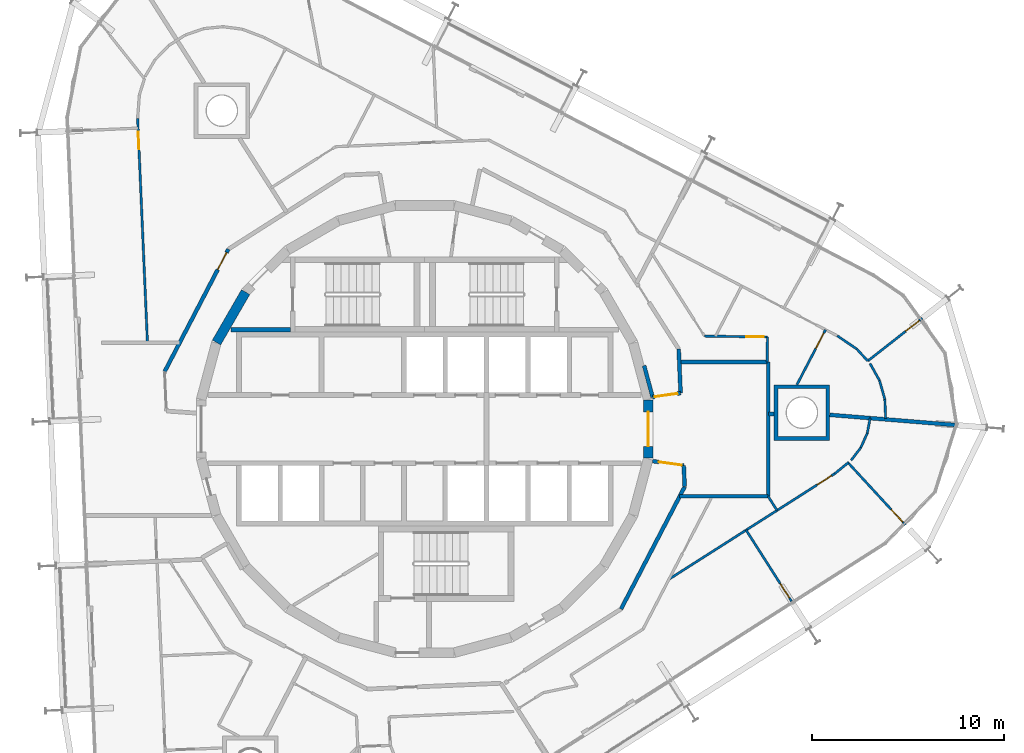
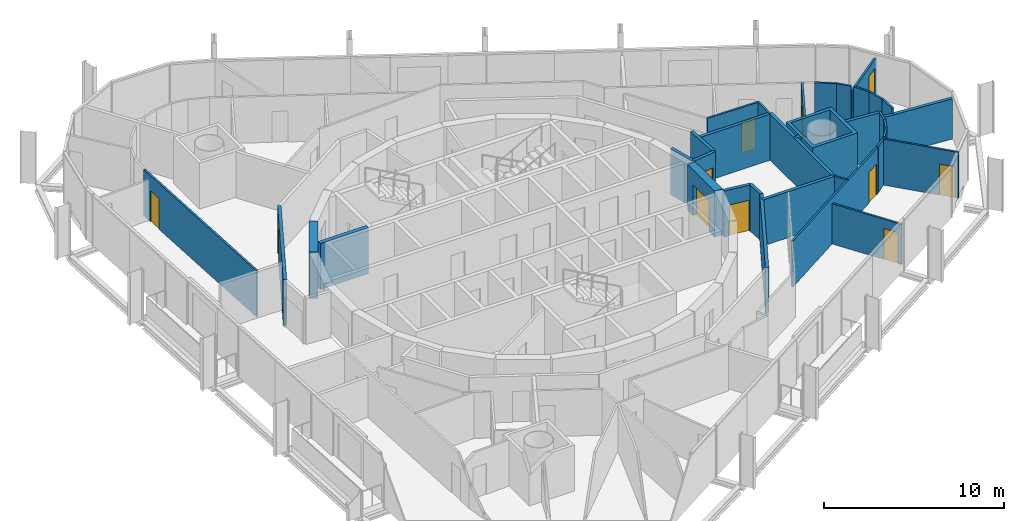
# One storey, part 14 of 17: 35 walls, 11 doors, 11 openings.
"""IFC4 building model written with IfcOpenShell, lengths in metres."""

from ifc_helpers import new_model, si_unit, direction, frame, frame_2d, origin, place, context, subcontext, project, spatial, polyline, rectangle, outline, extrude, material, layer, layer_set, type_object, element, fill, save


model = new_model("IFC4")

# Units and contexts
model_context = context("Model", 3, precision=1e-05, world=origin(), true_north=direction((0.0, 1.0)))
body_context = subcontext(model_context, "Body", "Model", "MODEL_VIEW")
ifc_project = project(units=[si_unit("LENGTHUNIT", "METRE"), si_unit("AREAUNIT", "SQUARE_METRE"), si_unit("VOLUMEUNIT", "CUBIC_METRE"), si_unit("PLANEANGLEUNIT", "RADIAN"), si_unit("MASSUNIT", "GRAM", prefix="KILO")], contexts=[model_context])

# Site, building, storey
site_placement = place(None, origin())
site = spatial("IfcSite", under=ifc_project, at=site_placement, CompositionType="ELEMENT")
building_placement = place(site_placement, origin())
building = spatial("IfcBuilding", under=site, at=building_placement, Name="Spindle Arch Residences", CompositionType="ELEMENT")
storey_placement = place(building_placement, frame((0.0, 0.0, 244.199951171875)))
storey = spatial("IfcBuildingStorey", under=building, at=storey_placement, Name="L62", CompositionType="ELEMENT", Elevation=244.199951171875)

# Wall, opening, door
ifc_material_1 = material(Name="Concrete C50/60", Category="concrete")
ifc_layer_1 = layer(ifc_material_1, 0.5)
ifc_layer_set_1 = layer_set([ifc_layer_1], Name="Core outline wall 500")
wall_type_1 = type_object("IfcWallType", Name="Core outline wall 500", PredefinedType="SHEAR", material=ifc_layer_set_1)
wall_1_placement = place(storey_placement, frame((11.647216796875, -1.516357421875, 0.0), z_axis=(0.0, 0.0, 1.0), x_axis=(0.0, 1.0, 0.0)))
wall_1 = element("IfcWall", 1, at=wall_1_placement, inside=storey, type_object=wall_type_1, Name="Core outline wall 6", PredefinedType="SHEAR", context=body_context, shape_type="SweptSolid", body=[
    extrude(rectangle(XDim=3.03271484375, YDim=0.5, at=frame_2d((1.516357421875, 0.0))), origin(), (0.0, 0.0, 1.0), 3.1201171875),
])
opening_1_placement = place(wall_1_placement, frame((0.6162109375, 0.0, 0.0)))
opening_1 = element("IfcOpeningElement", 2, at=opening_1_placement, cuts=wall_1, Name="Opening R6B1-FE01", PredefinedType="OPENING", context=body_context, shape_type="SweptSolid", body=[
    extrude(rectangle(XDim=1.800048828125, YDim=2.10009765625, at=frame_2d((0.89990234375, 1.050048828125))), frame((0.0, 0.260009765625, 0.0), z_axis=(0.0, -1.0, 0.0), x_axis=(1.0, 0.0, 0.0)), (0.0, 0.0, 1.0), 0.52001953125),
])
ifc_material_2 = material(Name="Steel, fire-resisting door", Category="steel")
door_type_1 = type_object("IfcDoorType", Name="Fire-lift lobby door 1800x2100", OperationType="DOUBLE_DOOR_SINGLE_SWING", PredefinedType="DOOR", material=ifc_material_2)
door_1_placement = place(opening_1_placement, origin())
door_1 = element("IfcDoor", 3, at=door_1_placement, inside=storey, type_object=door_type_1, Name="Fire-lift lobby door R6B1-FE01", OperationType="DOUBLE_DOOR_SINGLE_SWING", OverallHeight=2.10009765625, OverallWidth=1.800048828125, PredefinedType="DOOR", context=body_context, shape_type="SweptSolid", body=[
    extrude(rectangle(XDim=1.800048828125, YDim=2.10009765625, at=frame_2d((0.89990234375, 1.050048828125))), frame((0.0, 0.02490234375, 0.0), z_axis=(0.0, -1.0, 0.0), x_axis=(1.0, 0.0, 0.0)), (0.0, 0.0, 1.0), 0.050048828125),
])
fill(opening_1, door_1)

# Walls
wall_2_placement = place(storey_placement, frame((-9.32861328125, 7.13671875, 0.0), z_axis=(0.0, 0.0, 1.0), x_axis=(-0.500087131594, -0.865975092491, 0.0)))
element("IfcWall", 4, at=wall_2_placement, inside=storey, type_object=wall_type_1, Name="Core outline wall 16", PredefinedType="SHEAR", context=body_context, shape_type="SweptSolid", body=[
    extrude(rectangle(XDim=3.03271484375, YDim=0.5, at=frame_2d((1.516357421875, 0.0))), origin(), (0.0, 0.0, 1.0), 3.1201171875),
])
ifc_material_3 = material(Name="Calcium silicate block, plastered")
ifc_layer_2 = layer(ifc_material_3, 0.199951171875)
ifc_layer_set_2 = layer_set([ifc_layer_2], Name="Fire-lift lobby bay wall 200")
wall_type_2 = type_object("IfcWallType", Name="Fire-lift lobby bay wall 200", PredefinedType="STANDARD", material=ifc_layer_set_2)
wall_3_placement = place(storey_placement, frame((11.8701171875, 1.668212890625, 0.0), z_axis=(0.0, 0.0, 1.0), x_axis=(-0.258836880648, 0.965921047093, 0.0)))
element("IfcWall", 5, at=wall_3_placement, inside=storey, type_object=wall_type_2, Name="Fire-lift lobby bay wall R6B1-W001", PredefinedType="STANDARD", context=body_context, shape_type="SweptSolid", body=[
    extrude(rectangle(XDim=1.695068359375, YDim=0.199951171875, at=frame_2d((0.84765625, 0.0))), origin(), (0.0, 0.0, 1.0), 3.1201171875),
])

# Wall, opening, door
wall_4_placement = place(storey_placement, frame((11.8701171875, 1.668212890625, 0.0), z_axis=(0.0, 0.0, 1.0), x_axis=(0.990267985606, 0.139173692496, 0.0)))
wall_4 = element("IfcWall", 6, at=wall_4_placement, inside=storey, type_object=wall_type_2, Name="Fire-lift lobby bay wall R6B1-W002", PredefinedType="STANDARD", context=body_context, shape_type="SweptSolid", body=[
    extrude(rectangle(XDim=1.475341796875, YDim=0.199951171875, at=frame_2d((0.73779296875, 0.0))), origin(), (0.0, 0.0, 1.0), 3.1201171875),
])
opening_2_placement = place(wall_4_placement, frame((0.110107421875, 0.0, 0.0)))
opening_2 = element("IfcOpeningElement", 7, at=opening_2_placement, cuts=wall_4, Name="Opening R6B1-CD01", PredefinedType="OPENING", context=body_context, shape_type="SweptSolid", body=[
    extrude(rectangle(XDim=1.199951171875, YDim=2.10009765625, at=frame_2d((0.60009765625, 1.050048828125))), frame((0.0, 0.10986328125, 0.0), z_axis=(0.0, -1.0, 0.0), x_axis=(1.0, 0.0, 0.0)), (0.0, 0.0, 1.0), 0.219970703125),
])
ifc_material_4 = material(Name="Steel, fire-resisting door", Category="steel")
door_type_2 = type_object("IfcDoorType", Name="Corridor division door 1200x2100", OperationType="NOTDEFINED", PredefinedType="DOOR", material=ifc_material_4)
door_2_placement = place(opening_2_placement, origin())
door_2 = element("IfcDoor", 8, at=door_2_placement, inside=storey, type_object=door_type_2, Name="Corridor division door R6B1-CD01", OperationType="DOUBLE_DOOR_SINGLE_SWING", OverallHeight=2.10009765625, OverallWidth=1.199951171875, PredefinedType="DOOR", context=body_context, shape_type="SweptSolid", body=[
    extrude(rectangle(XDim=1.199951171875, YDim=2.10009765625, at=frame_2d((0.60009765625, 1.050048828125))), frame((0.0, 0.02490234375, 0.0), z_axis=(0.0, -1.0, 0.0), x_axis=(1.0, 0.0, 0.0)), (0.0, 0.0, 1.0), 0.050048828125),
])
fill(opening_2, door_2)

# Walls
wall_5_placement = place(storey_placement, frame((13.3310546875, 1.87353515625, 0.0), z_axis=(0.0, 0.0, 1.0), x_axis=(-0.043621457762, 0.999048131184, 0.0)))
element("IfcWall", 9, at=wall_5_placement, inside=storey, type_object=wall_type_2, Name="Fire-lift lobby bay wall R6B1-W003", PredefinedType="STANDARD", context=body_context, shape_type="SweptSolid", body=[
    extrude(rectangle(XDim=2.30029296875, YDim=0.199951171875, at=frame_2d((1.150146484375, 0.0))), origin(), (0.0, 0.0, 1.0), 3.1201171875),
])
wall_6_placement = place(storey_placement, frame((10.22802734375, -9.372314453125, 0.0), z_axis=(0.0, 0.0, 1.0), x_axis=(0.461759464021, 0.887005184532, 0.0)))
element("IfcWall", 10, at=wall_6_placement, inside=storey, type_object=wall_type_2, Name="Fire-lift lobby bay wall R6B1-W013", PredefinedType="STANDARD", context=body_context, shape_type="SweptSolid", body=[
    extrude(rectangle(XDim=7.18115234375, YDim=0.199951171875, at=frame_2d((3.590576171875, 0.0))), origin(), (0.0, 0.0, 1.0), 3.1201171875),
])
wall_7_placement = place(storey_placement, frame((13.5439453125, -3.002685546875, 0.0), z_axis=(0.0, 0.0, 1.0), x_axis=(-0.043666917606, 0.999046145234, 0.0)))
element("IfcWall", 11, at=wall_7_placement, inside=storey, type_object=wall_type_2, Name="Fire-lift lobby bay wall R6B1-W014", PredefinedType="STANDARD", context=body_context, shape_type="SweptSolid", body=[
    extrude(rectangle(XDim=1.10693359375, YDim=0.199951171875, at=frame_2d((0.553466796875, 0.0))), origin(), (0.0, 0.0, 1.0), 3.1201171875),
])

# Wall, opening, door
wall_8_placement = place(storey_placement, frame((13.49560546875, -1.896728515625, 0.0), z_axis=(0.0, 0.0, 1.0), x_axis=(-0.99026234641, 0.139213811391, 0.0)))
wall_8 = element("IfcWall", 12, at=wall_8_placement, inside=storey, type_object=wall_type_2, Name="Fire-lift lobby bay wall R6B1-W015", PredefinedType="STANDARD", context=body_context, shape_type="SweptSolid", body=[
    extrude(rectangle(XDim=1.641357421875, YDim=0.199951171875, at=frame_2d((0.82080078125, 0.0))), origin(), (0.0, 0.0, 1.0), 3.1201171875),
])
opening_3_placement = place(wall_8_placement, frame((0.110107421875, 0.0, 0.0)))
opening_3 = element("IfcOpeningElement", 13, at=opening_3_placement, cuts=wall_8, Name="Opening R6B1-CD02", PredefinedType="OPENING", context=body_context, shape_type="SweptSolid", body=[
    extrude(rectangle(XDim=1.199951171875, YDim=2.10009765625, at=frame_2d((0.60009765625, 1.050048828125))), frame((0.0, 0.10986328125, 0.0), z_axis=(0.0, -1.0, 0.0), x_axis=(1.0, 0.0, 0.0)), (0.0, 0.0, 1.0), 0.219970703125),
])
door_3_placement = place(opening_3_placement, origin())
door_3 = element("IfcDoor", 14, at=door_3_placement, inside=storey, type_object=door_type_2, Name="Corridor division door R6B1-CD02", OperationType="DOUBLE_DOOR_SINGLE_SWING", OverallHeight=2.10009765625, OverallWidth=1.199951171875, PredefinedType="DOOR", context=body_context, shape_type="SweptSolid", body=[
    extrude(rectangle(XDim=1.199951171875, YDim=2.10009765625, at=frame_2d((0.60009765625, 1.050048828125))), frame((0.0, 0.02490234375, 0.0), z_axis=(0.0, -1.0, 0.0), x_axis=(1.0, 0.0, 0.0)), (0.0, 0.0, 1.0), 0.050048828125),
])
fill(opening_3, door_3)

# Walls
wall_9_placement = place(storey_placement, frame((17.83740234375, 3.5, 0.0), z_axis=(0.0, 0.0, 1.0), x_axis=(-1.0, 0.0, 0.0)))
element("IfcWall", 15, at=wall_9_placement, inside=storey, type_object=wall_type_2, Name="Fire-lift lobby bay wall R6B1-W024", PredefinedType="STANDARD", context=body_context, shape_type="SweptSolid", body=[
    extrude(rectangle(XDim=4.577392578125, YDim=0.199951171875, at=frame_2d((2.28857421875, 0.0))), origin(), (0.0, 0.0, 1.0), 3.1201171875),
])
wall_10_placement = place(storey_placement, frame((17.89990234375, -3.5, 0.0), z_axis=(0.0, 0.0, 1.0), x_axis=(0.0, 1.0, 0.0)))
element("IfcWall", 16, at=wall_10_placement, inside=storey, type_object=wall_type_2, Name="Fire-lift lobby bay wall R6B1-W025", PredefinedType="STANDARD", context=body_context, shape_type="SweptSolid", body=[
    extrude(rectangle(XDim=7.0, YDim=0.199951171875, at=frame_2d((3.5, 0.0))), origin(), (0.0, 0.0, 1.0), 3.1201171875),
])
wall_11_placement = place(storey_placement, frame((13.284912109375, -3.5, 0.0), z_axis=(0.0, 0.0, 1.0), x_axis=(1.0, 0.0, 0.0)))
element("IfcWall", 17, at=wall_11_placement, inside=storey, type_object=wall_type_2, Name="Fire-lift lobby bay wall R6B1-W026", PredefinedType="STANDARD", context=body_context, shape_type="SweptSolid", body=[
    extrude(rectangle(XDim=4.60107421875, YDim=0.199951171875, at=frame_2d((2.300537109375, 0.0))), origin(), (0.0, 0.0, 1.0), 3.1201171875),
])
ifc_material_5 = material(Name="Plasterboard on steel studs", Category="steel")
ifc_layer_3 = layer(ifc_material_5, 0.1201171875)
ifc_layer_set_3 = layer_set([ifc_layer_3], Name="Flat partition 120")
wall_type_3 = type_object("IfcWallType", Name="Flat partition 120", PredefinedType="PARTITIONING", material=ifc_layer_set_3)
wall_12_placement = place(storey_placement, frame((17.83740234375, 3.5, 0.0), z_axis=(0.0, 0.0, 1.0), x_axis=(0.014687681009, 0.999892130195, 0.0)))
element("IfcWall", 18, at=wall_12_placement, inside=storey, type_object=wall_type_3, Name="Flat partition R6B1-W037", PredefinedType="PARTITIONING", context=body_context, shape_type="SweptSolid", body=[
    extrude(rectangle(XDim=1.296630859375, YDim=0.1201171875, at=frame_2d((0.6484375, 0.0))), origin(), (0.0, 0.0, 1.0), 3.1201171875),
])

# Wall, opening, door
wall_13_placement = place(storey_placement, frame((17.8564453125, 4.79638671875, 0.0), z_axis=(0.0, 0.0, 1.0), x_axis=(-0.999890074231, 0.014826983962, 0.0)))
wall_13 = element("IfcWall", 19, at=wall_13_placement, inside=storey, type_object=wall_type_3, Name="Flat partition R6B1-W038", PredefinedType="PARTITIONING", context=body_context, shape_type="SweptSolid", body=[
    extrude(rectangle(XDim=3.276611328125, YDim=0.1201171875, at=frame_2d((1.63818359375, 0.0))), origin(), (0.0, 0.0, 1.0), 3.1201171875),
])
opening_4_placement = place(wall_13_placement, frame((0.199951171875, 0.0, 0.0)))
opening_4 = element("IfcOpeningElement", 20, at=opening_4_placement, cuts=wall_13, Name="Opening R6B1-ID01", PredefinedType="OPENING", context=body_context, shape_type="SweptSolid", body=[
    extrude(rectangle(XDim=0.89990234375, YDim=2.10009765625, at=frame_2d((0.449951171875, 1.050048828125))), frame((0.0, 0.070068359375, 0.0), z_axis=(0.0, -1.0, 0.0), x_axis=(1.0, 0.0, 0.0)), (0.0, 0.0, 1.0), 0.14013671875),
])
ifc_material_6 = material(Name="Timber door set", Category="wood")
door_type_3 = type_object("IfcDoorType", Name="Room door 900x2100", OperationType="NOTDEFINED", PredefinedType="DOOR", material=ifc_material_6)
door_4_placement = place(opening_4_placement, origin())
door_4 = element("IfcDoor", 21, at=door_4_placement, inside=storey, type_object=door_type_3, Name="Room door R6B1-ID01", OperationType="SINGLE_SWING_LEFT", OverallHeight=2.10009765625, OverallWidth=0.89990234375, PredefinedType="DOOR", context=body_context, shape_type="SweptSolid", body=[
    extrude(rectangle(XDim=0.89990234375, YDim=2.10009765625, at=frame_2d((0.449951171875, 1.050048828125))), frame((0.0, 0.02490234375, 0.0), z_axis=(0.0, -1.0, 0.0), x_axis=(1.0, 0.0, 0.0)), (0.0, 0.0, 1.0), 0.050048828125),
])
fill(opening_4, door_4)

# Walls
for number, where, z_axis, x_axis, name in (
    (22, (23.197265625, 3.419677734375, 0.0), (0.0, 0.0, 1.0), (0.487315027955, -0.873226238456, 0.0), "Flat partition R6B1-W040"),
    (23, (23.6923828125, 2.532470703125, 0.0), (0.0, 0.0, 1.0), (0.272721198141, -0.962093107804, 0.0), "Flat partition R6B1-W041"),
):
    element("IfcWall", number, at=place(storey_placement, frame(where, z_axis=z_axis, x_axis=x_axis)), inside=storey, type_object=wall_type_3, Name=name, PredefinedType="PARTITIONING", context=body_context, shape_type="SweptSolid", body=[
        extrude(rectangle(XDim=1.01611328125, YDim=0.1201171875, at=frame_2d((0.508056640625, 0.0))), origin(), (0.0, 0.0, 1.0), 3.1201171875),
    ])
wall_14_placement = place(storey_placement, frame((23.969482421875, 1.554931640625, 0.0), z_axis=(0.0, 0.0, 1.0), x_axis=(0.043739672645, -0.999042962558, 0.0)))
element("IfcWall", 24, at=wall_14_placement, inside=storey, type_object=wall_type_3, Name="Flat partition R6B1-W042", PredefinedType="PARTITIONING", context=body_context, shape_type="SweptSolid", body=[
    extrude(rectangle(XDim=1.015869140625, YDim=0.1201171875, at=frame_2d((0.5078125, 0.0))), origin(), (0.0, 0.0, 1.0), 3.1201171875),
])

# Wall, opening, door
wall_15_placement = place(storey_placement, frame((20.88232421875, 5.177001953125, 0.0), z_axis=(0.0, 0.0, 1.0), x_axis=(-0.461706806129, -0.887032595328, 0.0)))
wall_15 = element("IfcWall", 25, at=wall_15_placement, inside=storey, type_object=wall_type_3, Name="Flat partition R6B1-W044", PredefinedType="PARTITIONING", context=body_context, shape_type="SweptSolid", body=[
    extrude(rectangle(XDim=3.234619140625, YDim=0.1201171875, at=frame_2d((1.6171875, 0.0))), origin(), (0.0, 0.0, 1.0), 3.1201171875),
])
opening_5_placement = place(wall_15_placement, frame((0.199951171875, 0.0, 0.0)))
opening_5 = element("IfcOpeningElement", 26, at=opening_5_placement, cuts=wall_15, Name="Opening R6B1-ID02", PredefinedType="OPENING", context=body_context, shape_type="SweptSolid", body=[
    extrude(rectangle(XDim=0.89990234375, YDim=2.10009765625, at=frame_2d((0.449951171875, 1.050048828125))), frame((0.0, 0.070068359375, 0.0), z_axis=(0.0, -1.0, 0.0), x_axis=(1.0, 0.0, 0.0)), (0.0, 0.0, 1.0), 0.14013671875),
])
door_5_placement = place(opening_5_placement, origin())
door_5 = element("IfcDoor", 27, at=door_5_placement, inside=storey, type_object=door_type_3, Name="Room door R6B1-ID02", OperationType="SINGLE_SWING_LEFT", OverallHeight=2.10009765625, OverallWidth=0.89990234375, PredefinedType="DOOR", context=body_context, shape_type="SweptSolid", body=[
    extrude(rectangle(XDim=0.89990234375, YDim=2.10009765625, at=frame_2d((0.449951171875, 1.050048828125))), frame((0.0, 0.02490234375, 0.0), z_axis=(0.0, -1.0, 0.0), x_axis=(1.0, 0.0, 0.0)), (0.0, 0.0, 1.0), 0.050048828125),
])
fill(opening_5, door_5)

# Walls
wall_16_placement = place(storey_placement, frame((23.080078125, 3.54736328125, 0.0), z_axis=(0.0, 0.0, 1.0), x_axis=(-0.67556712677, 0.737298485844, 0.0)))
element("IfcWall", 28, at=wall_16_placement, inside=storey, type_object=wall_type_3, Name="Flat partition R6B1-W045", PredefinedType="PARTITIONING", context=body_context, shape_type="SweptSolid", body=[
    extrude(rectangle(XDim=0.84228515625, YDim=0.1201171875, at=frame_2d((0.421142578125, 0.0))), origin(), (0.0, 0.0, 1.0), 3.1201171875),
])
wall_17_placement = place(storey_placement, frame((22.510986328125, 4.16845703125, 0.0), z_axis=(0.0, 0.0, 1.0), x_axis=(-0.82733707504, 0.561705763068, 0.0)))
element("IfcWall", 29, at=wall_17_placement, inside=storey, type_object=wall_type_3, Name="Flat partition R6B1-W046", PredefinedType="PARTITIONING", context=body_context, shape_type="SweptSolid", body=[
    extrude(rectangle(XDim=1.22705078125, YDim=0.1201171875, at=frame_2d((0.613525390625, 0.0))), origin(), (0.0, 0.0, 1.0), 3.1201171875),
])

# Wall, opening, door
wall_18_placement = place(storey_placement, frame((-14.95458984375, 16.18701171875, 0.0), z_axis=(0.0, 0.0, 1.0), x_axis=(0.04360777668, -0.999048728448, 0.0)))
wall_18 = element("IfcWall", 30, at=wall_18_placement, inside=storey, type_object=wall_type_3, Name="Flat partition R6B1-W068", PredefinedType="PARTITIONING", context=body_context, shape_type="SweptSolid", body=[
    extrude(rectangle(XDim=11.6787109375, YDim=0.1201171875, at=frame_2d((5.83935546875, 0.0))), origin(), (0.0, 0.0, 1.0), 3.1201171875),
])
opening_6_placement = place(wall_18_placement, frame((0.708740234375, 0.0, 0.0)))
opening_6 = element("IfcOpeningElement", 31, at=opening_6_placement, cuts=wall_18, Name="Opening R6B1-ID11", PredefinedType="OPENING", context=body_context, shape_type="SweptSolid", body=[
    extrude(rectangle(XDim=0.89990234375, YDim=2.10009765625, at=frame_2d((0.449951171875, 1.050048828125))), frame((0.0, 0.070068359375, 0.0), z_axis=(0.0, -1.0, 0.0), x_axis=(1.0, 0.0, 0.0)), (0.0, 0.0, 1.0), 0.14013671875),
])
door_6_placement = place(opening_6_placement, origin())
door_6 = element("IfcDoor", 32, at=door_6_placement, inside=storey, type_object=door_type_3, Name="Room door R6B1-ID11", OperationType="SINGLE_SWING_LEFT", OverallHeight=2.10009765625, OverallWidth=0.89990234375, PredefinedType="DOOR", context=body_context, shape_type="SweptSolid", body=[
    extrude(rectangle(XDim=0.89990234375, YDim=2.10009765625, at=frame_2d((0.449951171875, 1.050048828125))), frame((0.0, 0.02490234375, 0.0), z_axis=(0.0, -1.0, 0.0), x_axis=(1.0, 0.0, 0.0)), (0.0, 0.0, 1.0), 0.050048828125),
])
fill(opening_6, door_6)

wall_19_placement = place(storey_placement, frame((21.3681640625, -2.31591796875, 0.0), z_axis=(0.0, 0.0, 1.0), x_axis=(-0.843388627156, -0.537304032726, 0.0)))
wall_19 = element("IfcWall", 33, at=wall_19_placement, inside=storey, type_object=wall_type_3, Name="Flat partition R6B1-W098", PredefinedType="PARTITIONING", context=body_context, shape_type="SweptSolid", body=[
    extrude(rectangle(XDim=10.246337890625, YDim=0.1201171875, at=frame_2d((5.123046875, 0.0))), origin(), (0.0, 0.0, 1.0), 3.1201171875),
])
opening_7_placement = place(wall_19_placement, frame((0.199951171875, 0.0, 0.0)))
opening_7 = element("IfcOpeningElement", 34, at=opening_7_placement, cuts=wall_19, Name="Opening R6B1-ID25", PredefinedType="OPENING", context=body_context, shape_type="SweptSolid", body=[
    extrude(rectangle(XDim=0.89990234375, YDim=2.10009765625, at=frame_2d((0.449951171875, 1.050048828125))), frame((0.0, 0.070068359375, 0.0), z_axis=(0.0, -1.0, 0.0), x_axis=(1.0, 0.0, 0.0)), (0.0, 0.0, 1.0), 0.14013671875),
])
door_7_placement = place(opening_7_placement, origin())
door_7 = element("IfcDoor", 35, at=door_7_placement, inside=storey, type_object=door_type_3, Name="Room door R6B1-ID25", OperationType="SINGLE_SWING_LEFT", OverallHeight=2.10009765625, OverallWidth=0.89990234375, PredefinedType="DOOR", context=body_context, shape_type="SweptSolid", body=[
    extrude(rectangle(XDim=0.89990234375, YDim=2.10009765625, at=frame_2d((0.449951171875, 1.050048828125))), frame((0.0, 0.02490234375, 0.0), z_axis=(0.0, -1.0, 0.0), x_axis=(1.0, 0.0, 0.0)), (0.0, 0.0, 1.0), 0.050048828125),
])
fill(opening_7, door_7)

# Walls
wall_20_placement = place(storey_placement, frame((18.354736328125, -4.235595703125, 0.0), z_axis=(0.0, 0.0, 1.0), x_axis=(-0.537400605047, 0.843327095316, 0.0)))
element("IfcWall", 36, at=wall_20_placement, inside=storey, type_object=wall_type_3, Name="Flat partition R6B1-W100", PredefinedType="PARTITIONING", context=body_context, shape_type="SweptSolid", body=[
    extrude(rectangle(XDim=0.872314453125, YDim=0.1201171875, at=frame_2d((0.43603515625, 0.0))), origin(), (0.0, 0.0, 1.0), 3.1201171875),
])
wall_21_placement = place(storey_placement, frame((22.08837890625, -1.72900390625, 0.0), z_axis=(0.0, 0.0, 1.0), x_axis=(-0.775196856296, -0.631719743232, 0.0)))
element("IfcWall", 37, at=wall_21_placement, inside=storey, type_object=wall_type_3, Name="Flat partition R6B1-W101", PredefinedType="PARTITIONING", context=body_context, shape_type="SweptSolid", body=[
    extrude(rectangle(XDim=0.928955078125, YDim=0.1201171875, at=frame_2d((0.46435546875, 0.0))), origin(), (0.0, 0.0, 1.0), 3.1201171875),
])

# Wall, opening, door
wall_22_placement = place(storey_placement, frame((25.044921875, -4.995849609375, 0.0), z_axis=(0.0, 0.0, 1.0), x_axis=(-0.677690998913, 0.735346795731, 0.0)))
wall_22 = element("IfcWall", 38, at=wall_22_placement, inside=storey, type_object=wall_type_3, Name="Flat partition R6B1-W102", PredefinedType="PARTITIONING", context=body_context, shape_type="SweptSolid", body=[
    extrude(rectangle(XDim=4.407958984375, YDim=0.1201171875, at=frame_2d((2.2041015625, 0.0))), origin(), (0.0, 0.0, 1.0), 3.1201171875),
])
opening_8_placement = place(wall_22_placement, frame((0.199951171875, 0.0, 0.0)))
opening_8 = element("IfcOpeningElement", 39, at=opening_8_placement, cuts=wall_22, Name="Opening R6B1-ID26", PredefinedType="OPENING", context=body_context, shape_type="SweptSolid", body=[
    extrude(rectangle(XDim=0.89990234375, YDim=2.10009765625, at=frame_2d((0.449951171875, 1.050048828125))), frame((0.0, 0.070068359375, 0.0), z_axis=(0.0, -1.0, 0.0), x_axis=(1.0, 0.0, 0.0)), (0.0, 0.0, 1.0), 0.14013671875),
])
door_8_placement = place(opening_8_placement, origin())
door_8 = element("IfcDoor", 40, at=door_8_placement, inside=storey, type_object=door_type_3, Name="Room door R6B1-ID26", OperationType="SINGLE_SWING_RIGHT", OverallHeight=2.10009765625, OverallWidth=0.89990234375, PredefinedType="DOOR", context=body_context, shape_type="SweptSolid", body=[
    extrude(rectangle(XDim=0.89990234375, YDim=2.10009765625, at=frame_2d((0.449951171875, 1.050048828125))), frame((0.0, 0.02490234375, 0.0), z_axis=(0.0, -1.0, 0.0), x_axis=(1.0, 0.0, 0.0)), (0.0, 0.0, 1.0), 0.050048828125),
])
fill(opening_8, door_8)

# Walls
wall_23_placement = place(storey_placement, frame((22.210693359375, -1.62939453125, 0.0), z_axis=(0.0, 0.0, 1.0), x_axis=(0.60891358868, 0.793236560882, 0.0)))
element("IfcWall", 41, at=wall_23_placement, inside=storey, type_object=wall_type_3, Name="Flat partition R6B1-W103", PredefinedType="PARTITIONING", context=body_context, shape_type="SweptSolid", body=[
    extrude(rectangle(XDim=0.8291015625, YDim=0.1201171875, at=frame_2d((0.41455078125, 0.0))), origin(), (0.0, 0.0, 1.0), 3.1201171875),
])
wall_24_placement = place(storey_placement, frame((22.715576171875, -0.9716796875, 0.0), z_axis=(0.0, 0.0, 1.0), x_axis=(0.409335118315, 0.91238410821, 0.0)))
element("IfcWall", 42, at=wall_24_placement, inside=storey, type_object=wall_type_3, Name="Flat partition R6B1-W104", PredefinedType="PARTITIONING", context=body_context, shape_type="SweptSolid", body=[
    extrude(rectangle(XDim=0.828369140625, YDim=0.1201171875, at=frame_2d((0.4140625, 0.0))), origin(), (0.0, 0.0, 1.0), 3.1201171875),
])
wall_25_placement = place(storey_placement, frame((23.0546875, -0.2158203125, 0.0), z_axis=(0.0, 0.0, 1.0), x_axis=(0.18778445718, 0.982210261421, 0.0)))
element("IfcWall", 43, at=wall_25_placement, inside=storey, type_object=wall_type_3, Name="Flat partition R6B1-W105", PredefinedType="PARTITIONING", context=body_context, shape_type="SweptSolid", body=[
    extrude(rectangle(XDim=0.80078125, YDim=0.1201171875, at=frame_2d((0.400390625, 0.0))), origin(), (0.0, 0.0, 1.0), 3.1201171875),
])

# Wall, opening, door
ifc_material_7 = material(Name="Plasterboard on steel studs", Category="steel")
ifc_layer_4 = layer(ifc_material_7, 0.1201171875)
ifc_layer_set_4 = layer_set([ifc_layer_4], Name="Flat partition 120 under beam 2730")
wall_type_4 = type_object("IfcWallType", Name="Flat partition 120 under beam 2730", PredefinedType="PARTITIONING", material=ifc_layer_set_4)
wall_26_placement = place(storey_placement, frame((25.921630859375, 5.775146484375, 0.0), z_axis=(0.0, 0.0, 1.0), x_axis=(-0.786972505765, -0.616988067283, 0.0)))
wall_26 = element("IfcWall", 44, at=wall_26_placement, inside=storey, type_object=wall_type_4, Name="Flat partition R6B1-W043", PredefinedType="PARTITIONING", context=body_context, shape_type="SweptSolid", body=[
    extrude(rectangle(XDim=3.61083984375, YDim=0.1201171875, at=frame_2d((1.805419921875, 0.0))), origin(), (0.0, 0.0, 1.0), 2.72998046875),
])
opening_9_placement = place(wall_26_placement, frame((0.199951171875, 0.0, 0.0)))
opening_9 = element("IfcOpeningElement", 45, at=opening_9_placement, cuts=wall_26, Name="Opening R6B1-ID05", PredefinedType="OPENING", context=body_context, shape_type="SweptSolid", body=[
    extrude(rectangle(XDim=0.89990234375, YDim=2.10009765625, at=frame_2d((0.449951171875, 1.050048828125))), frame((0.0, 0.070068359375, 0.0), z_axis=(0.0, -1.0, 0.0), x_axis=(1.0, 0.0, 0.0)), (0.0, 0.0, 1.0), 0.14013671875),
])
door_9_placement = place(opening_9_placement, origin())
door_9 = element("IfcDoor", 46, at=door_9_placement, inside=storey, type_object=door_type_3, Name="Room door R6B1-ID05", OperationType="SINGLE_SWING_LEFT", OverallHeight=2.10009765625, OverallWidth=0.89990234375, PredefinedType="DOOR", context=body_context, shape_type="SweptSolid", body=[
    extrude(rectangle(XDim=0.89990234375, YDim=2.10009765625, at=frame_2d((0.449951171875, 1.050048828125))), frame((0.0, 0.02490234375, 0.0), z_axis=(0.0, -1.0, 0.0), x_axis=(1.0, 0.0, 0.0)), (0.0, 0.0, 1.0), 0.050048828125),
])
fill(opening_9, door_9)

wall_27_placement = place(storey_placement, frame((19.108642578125, -8.972412109375, 0.0), z_axis=(0.0, 0.0, 1.0), x_axis=(-0.537345751125, 0.843362047847, 0.0)))
wall_27 = element("IfcWall", 47, at=wall_27_placement, inside=storey, type_object=wall_type_4, Name="Flat partition R6B1-W099", PredefinedType="PARTITIONING", context=body_context, shape_type="SweptSolid", body=[
    extrude(rectangle(XDim=4.39990234375, YDim=0.1201171875, at=frame_2d((2.199951171875, 0.0))), origin(), (0.0, 0.0, 1.0), 2.72998046875),
])
opening_10_placement = place(wall_27_placement, frame((0.199951171875, 0.0, 0.0)))
opening_10 = element("IfcOpeningElement", 48, at=opening_10_placement, cuts=wall_27, Name="Opening R6B1-ID24", PredefinedType="OPENING", context=body_context, shape_type="SweptSolid", body=[
    extrude(rectangle(XDim=0.89990234375, YDim=2.10009765625, at=frame_2d((0.449951171875, 1.050048828125))), frame((0.0, 0.070068359375, 0.0), z_axis=(0.0, -1.0, 0.0), x_axis=(1.0, 0.0, 0.0)), (0.0, 0.0, 1.0), 0.14013671875),
])
door_10_placement = place(opening_10_placement, origin())
door_10 = element("IfcDoor", 49, at=door_10_placement, inside=storey, type_object=door_type_3, Name="Room door R6B1-ID24", OperationType="SINGLE_SWING_RIGHT", OverallHeight=2.10009765625, OverallWidth=0.89990234375, PredefinedType="DOOR", context=body_context, shape_type="SweptSolid", body=[
    extrude(rectangle(XDim=0.89990234375, YDim=2.10009765625, at=frame_2d((0.449951171875, 1.050048828125))), frame((0.0, 0.02490234375, 0.0), z_axis=(0.0, -1.0, 0.0), x_axis=(1.0, 0.0, 0.0)), (0.0, 0.0, 1.0), 0.050048828125),
])
fill(opening_10, door_10)

# Walls
ifc_material_8 = material(Name="Calcium silicate block, plastered")
ifc_layer_5 = layer(ifc_material_8, 0.199951171875)
ifc_layer_set_5 = layer_set([ifc_layer_5], Name="Flat party wall 200")
wall_type_5 = type_object("IfcWallType", Name="Flat party wall 200", PredefinedType="STANDARD", material=ifc_layer_set_5)
wall_28_placement = place(storey_placement, frame((21.10009765625, 0.74072265625, 0.0), z_axis=(0.0, 0.0, 1.0), x_axis=(0.996757677143, -0.080461997598, 0.0)))
element("IfcWall", 50, at=wall_28_placement, inside=storey, type_object=wall_type_5, Name="Flat party wall R6B1-W029", PredefinedType="STANDARD", context=body_context, shape_type="SweptSolid", body=[
    extrude(rectangle(XDim=2.11181640625, YDim=0.199951171875, at=frame_2d((1.055908203125, 0.0))), origin(), (0.0, 0.0, 1.0), 3.1201171875),
])
wall_29_placement = place(storey_placement, frame((17.919921875, 0.782470703125, 0.0), z_axis=(0.0, 0.0, 1.0), x_axis=(0.999051221661, 0.04355061995, 0.0)))
element("IfcWall", 51, at=wall_29_placement, inside=storey, type_object=wall_type_5, Name="Flat party wall R6B1-W030", PredefinedType="STANDARD", context=body_context, shape_type="SweptSolid", body=[
    extrude(rectangle(XDim=0.2802734375, YDim=0.199951171875, at=frame_2d((0.14013671875, 0.0))), origin(), (0.0, 0.0, 1.0), 3.1201171875),
])
ifc_material_9 = material(Name="Calcium silicate block, plastered")
ifc_layer_6 = layer(ifc_material_9, 0.199951171875)
ifc_layer_set_6 = layer_set([ifc_layer_6], Name="Flat party wall 200 under beam 2730")
wall_type_6 = type_object("IfcWallType", Name="Flat party wall 200 under beam 2730", PredefinedType="STANDARD", material=ifc_layer_set_6)
wall_30_placement = place(storey_placement, frame((23.205078125, 0.57080078125, 0.0), z_axis=(0.0, 0.0, 1.0), x_axis=(0.996747395793, -0.080589260944, 0.0)))
element("IfcWall", 52, at=wall_30_placement, inside=storey, type_object=wall_type_6, Name="Flat party wall R6B1-W028", PredefinedType="STANDARD", context=body_context, shape_type="SweptSolid", body=[
    extrude(rectangle(XDim=4.426025390625, YDim=0.199951171875, at=frame_2d((2.212890625, 0.0))), origin(), (0.0, 0.0, 1.0), 2.72998046875),
])

# Wall, opening, door
ifc_material_10 = material(Name="Calcium silicate block, plastered")
ifc_layer_7 = layer(ifc_material_10, 0.199951171875)
ifc_layer_set_7 = layer_set([ifc_layer_7], Name="Lift lobby bay wall 200")
wall_type_7 = type_object("IfcWallType", Name="Lift lobby bay wall 200", PredefinedType="STANDARD", material=ifc_layer_set_7)
wall_31_placement = place(storey_placement, frame((-10.22802734375, 9.372314453125, 0.0), z_axis=(0.0, 0.0, 1.0), x_axis=(-0.461759464021, -0.887005184532, 0.0)))
wall_31 = element("IfcWall", 53, at=wall_31_placement, inside=storey, type_object=wall_type_7, Name="Lift lobby bay wall R6B1-W007", PredefinedType="STANDARD", context=body_context, shape_type="SweptSolid", body=[
    extrude(rectangle(XDim=7.18115234375, YDim=0.199951171875, at=frame_2d((3.590576171875, 0.0))), origin(), (0.0, 0.0, 1.0), 3.1201171875),
])
opening_11_placement = place(wall_31_placement, frame((0.199951171875, 0.0, 0.0)))
opening_11 = element("IfcOpeningElement", 54, at=opening_11_placement, cuts=wall_31, Name="Opening R6B1-FD03", PredefinedType="OPENING", context=body_context, shape_type="SweptSolid", body=[
    extrude(rectangle(XDim=1.0, YDim=2.10009765625, at=frame_2d((0.5, 1.050048828125))), frame((0.0, 0.10986328125, 0.0), z_axis=(0.0, -1.0, 0.0), x_axis=(1.0, 0.0, 0.0)), (0.0, 0.0, 1.0), 0.219970703125),
])
ifc_material_11 = material(Name="Timber, fire-resisting door set", Category="wood")
door_type_4 = type_object("IfcDoorType", Name="Flat entrance door 1000x2100", OperationType="NOTDEFINED", PredefinedType="DOOR", material=ifc_material_11)
door_11_placement = place(opening_11_placement, origin())
door_11 = element("IfcDoor", 55, at=door_11_placement, inside=storey, type_object=door_type_4, Name="Flat entrance door R6B1-FD03", OperationType="SINGLE_SWING_LEFT", OverallHeight=2.10009765625, OverallWidth=1.0, PredefinedType="DOOR", context=body_context, shape_type="SweptSolid", body=[
    extrude(rectangle(XDim=1.0, YDim=2.10009765625, at=frame_2d((0.5, 1.050048828125))), frame((0.0, 0.02490234375, 0.0), z_axis=(0.0, -1.0, 0.0), x_axis=(1.0, 0.0, 0.0)), (0.0, 0.0, 1.0), 0.050048828125),
])
fill(opening_11, door_11)

# Walls
ifc_material_12 = material(Name="Calcium silicate block, plastered")
ifc_layer_8 = layer(ifc_material_12, 0.199951171875)
ifc_layer_set_8 = layer_set([ifc_layer_8], Name="Mega-column casing wall 200")
wall_type_8 = type_object("IfcWallType", Name="Mega-column casing wall 200", PredefinedType="STANDARD", material=ifc_layer_set_8)
wall_32_placement = place(storey_placement, origin())
element("IfcWall", 56, at=wall_32_placement, inside=storey, type_object=wall_type_8, Name="Mega-column casing wall R6B1-WC01", PredefinedType="STANDARD", context=body_context, shape_type="SweptSolid", body=[
    extrude(outline(polyline([(21.10009765625, 2.307861328125), (21.10009765625, -0.592041015625), (18.199951171875, -0.592041015625), (18.199951171875, 2.307861328125), (21.10009765625, 2.307861328125)]), holes=[polyline([(18.39990234375, -0.39208984375), (20.89990234375, -0.39208984375), (20.89990234375, 2.10791015625), (18.39990234375, 2.10791015625), (18.39990234375, -0.39208984375)])]), origin(), (0.0, 0.0, 1.0), 3.1201171875),
])
ifc_material_13 = material(Name="Concrete C40/50", Category="concrete")
ifc_layer_9 = layer(ifc_material_13, 0.25)
ifc_layer_set_9 = layer_set([ifc_layer_9], Name="Stair airlock wall 250")
wall_type_9 = type_object("IfcWallType", Name="Stair airlock wall 250", PredefinedType="SHEAR", material=ifc_layer_set_9)
wall_33_placement = place(storey_placement, frame((-7.0, 5.175048828125, 0.0), z_axis=(0.0, 0.0, 1.0), x_axis=(-1.0, 0.0, 0.0)))
element("IfcWall", 57, at=wall_33_placement, inside=storey, type_object=wall_type_9, Name="Stair ST-2 airlock wall S", PredefinedType="SHEAR", context=body_context, shape_type="SweptSolid", body=[
    extrude(rectangle(XDim=3.10009765625, YDim=0.25, at=frame_2d((1.550048828125, 0.0))), origin(), (0.0, 0.0, 1.0), 3.1201171875),
])

save(model, "model.ifc")
